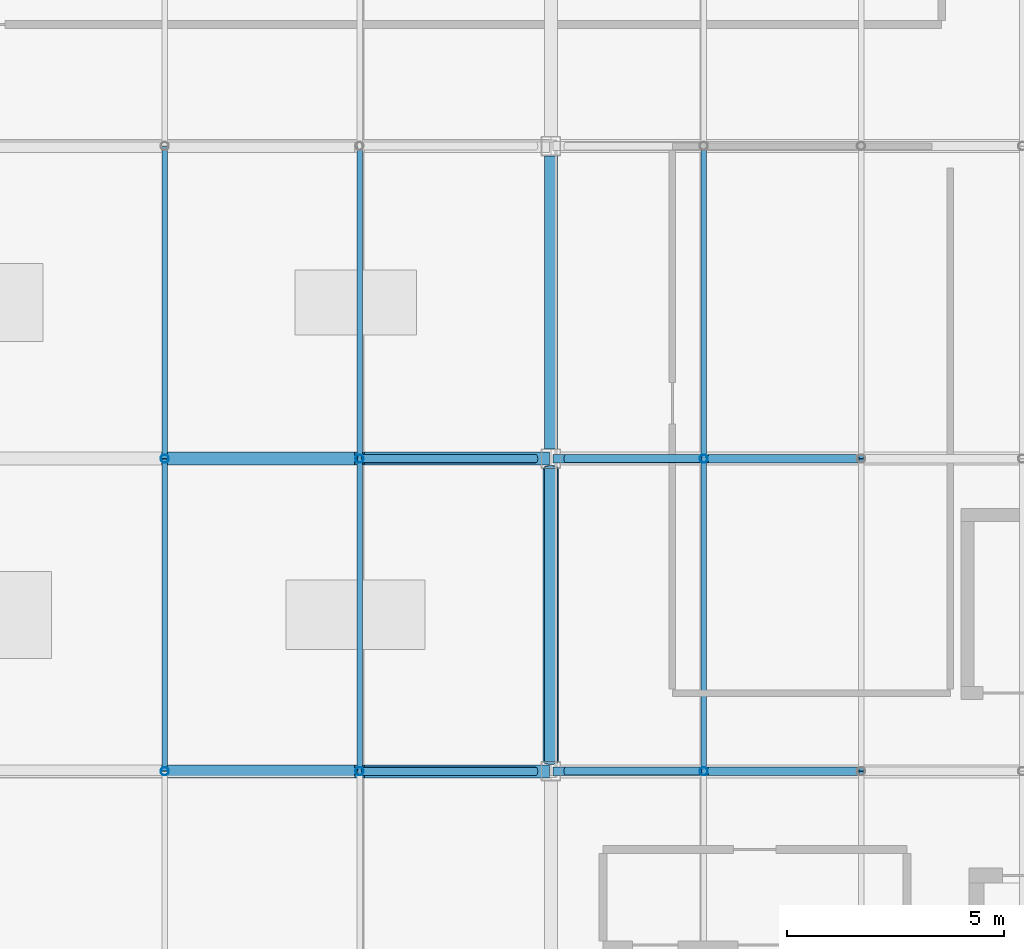
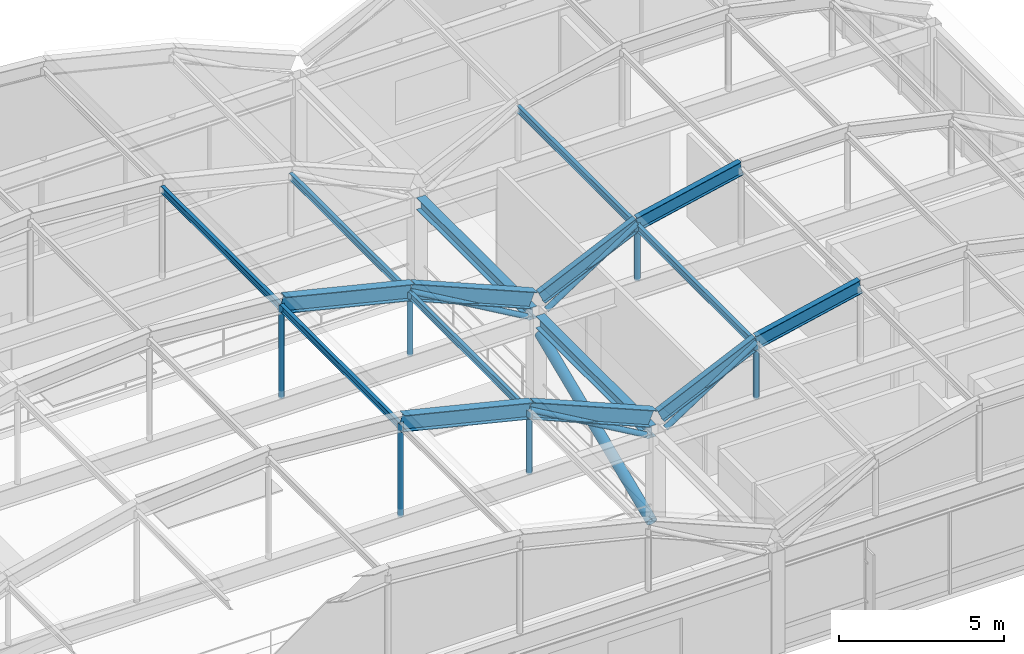
# One storey, part 40 of 106: 25 members, 2 beams.
"""IFC4 building model written with IfcOpenShell, lengths in metres."""

from ifc_helpers import new_model, si_unit, direction, frame, origin, origin_2d, place, context, subcontext, project, spatial, hollow_circle, i_section, extrude, material, material_profile, profile_set, type_object, element, save


model = new_model("IFC4")

# Units and contexts
model_context = context("Model", 3, precision=1e-05, world=origin(), true_north=direction((0.0, 1.0)))
body_context = subcontext(model_context, "Body", "Model", "MODEL_VIEW")
ifc_project = project(units=[si_unit("LENGTHUNIT", "METRE"), si_unit("AREAUNIT", "SQUARE_METRE"), si_unit("VOLUMEUNIT", "CUBIC_METRE"), si_unit("PLANEANGLEUNIT", "RADIAN"), si_unit("MASSUNIT", "GRAM", prefix="KILO")], contexts=[model_context])

# Site, building, storey
site_placement = place(None, origin())
site = spatial("IfcSite", under=ifc_project, at=site_placement, CompositionType="ELEMENT")
building_placement = place(site_placement, origin())
building = spatial("IfcBuilding", under=site, at=building_placement, Name="Kazanami Central Library", CompositionType="ELEMENT")
storey_placement = place(building_placement, frame((0.0, 0.0, 12.800048828125)))
storey = spatial("IfcBuildingStorey", under=building, at=storey_placement, Name="L04", CompositionType="ELEMENT", Elevation=12.800048828125)

# Beams
ifc_material_1 = material(Name="Steel SN490B (325 MPa)", Category="steel")
ifc_material_profile_1 = material_profile(ifc_material_1, i_section(OverallWidth=0.300048828125, OverallDepth=0.43994140625, WebThickness=0.010986328125, FlangeThickness=0.01806640625, at=origin_2d()), Name="H-440x300x11x18")
ifc_profile_set_1 = profile_set([ifc_material_profile_1], Name="Steel SN490B (325 MPa)")
beam_type = type_object("IfcBeamType", Name="BM-G-Y4", PredefinedType="BEAM", material=ifc_profile_set_1)
beam_1_placement = place(storey_placement, frame((90.0, 72.222900390625, 3.56005859375), z_axis=(0.0, 1.0, 0.0), x_axis=(-1.0, 0.0, 0.0)))
element("IfcBeam", 1, at=beam_1_placement, inside=storey, type_object=beam_type, Name="Girder G-Y4 L04 11/L-M", PredefinedType="BEAM", context=body_context, shape_type="SweptSolid", body=[
    extrude(i_section(OverallWidth=0.300048828125, OverallDepth=0.43994140625, WebThickness=0.010986328125, FlangeThickness=0.01806640625, at=origin_2d()), origin(), (0.0, 0.0, 1.0), 6.754150390625),
])
beam_2_placement = place(storey_placement, frame((90.0, 79.423095703125, 3.56005859375), z_axis=(0.0, 1.0, 0.0), x_axis=(-1.0, 0.0, 0.0)))
element("IfcBeam", 2, at=beam_2_placement, inside=storey, type_object=beam_type, Name="Girder G-Y4 L04 11/M-N", PredefinedType="BEAM", context=body_context, shape_type="SweptSolid", body=[
    extrude(i_section(OverallWidth=0.300048828125, OverallDepth=0.43994140625, WebThickness=0.010986328125, FlangeThickness=0.01806640625, at=origin_2d()), origin(), (0.0, 0.0, 1.0), 6.75390625),
])

# Members
ifc_material_profile_2 = material_profile(ifc_material_1, i_section(OverallWidth=0.300048828125, OverallDepth=0.587890625, WebThickness=0.011962890625, FlangeThickness=0.02001953125, at=origin_2d()), Name="H-588x300x12x20")
ifc_profile_set_2 = profile_set([ifc_material_profile_2], Name="Steel SN490B (325 MPa)")
member_type_1 = type_object("IfcMemberType", Name="MEM-AR-01", PredefinedType="CHORD", material=ifc_profile_set_2)
for number, where, z_axis, x_axis, name in (
    (3, (81.104248046875, 72.0, 7.181640625), (0.971622638672, 0.0, -0.236536356656), (0.0, 1.0, 0.0), "Barrel Vault Arch Rib AR-01 VAULT-MAIN Grid L Seg 5"),
    (4, (85.592041015625, 72.0, 6.089111328125), (0.921854112797, 0.0, -0.387537088185), (0.0, 1.0, 0.0), "Barrel Vault Arch Rib AR-01 VAULT-MAIN Grid L Seg 6"),
    (5, (81.104248046875, 79.199951171875, 7.181640625), (0.971622638672, 0.0, -0.236536356656), (0.0, 1.0, 0.0), "Barrel Vault Arch Rib AR-01 VAULT-MAIN Grid M Seg 5"),
    (6, (85.592041015625, 79.199951171875, 6.089111328125), (0.921854112797, 0.0, -0.387537088185), (0.0, 1.0, 0.0), "Barrel Vault Arch Rib AR-01 VAULT-MAIN Grid M Seg 6"),
):
    element("IfcMember", number, at=place(storey_placement, frame(where, z_axis=z_axis, x_axis=x_axis)), inside=storey, type_object=member_type_1, Name=name, PredefinedType="CHORD", context=body_context, shape_type="SweptSolid", body=[
        extrude(i_section(OverallWidth=0.300048828125, OverallDepth=0.587890625, WebThickness=0.011962890625, FlangeThickness=0.02001953125, at=origin_2d()), origin(), (0.0, 0.0, 1.0), 4.618896484375),
    ])
ifc_material_profile_3 = material_profile(ifc_material_1, i_section(OverallWidth=0.199951171875, OverallDepth=0.5, WebThickness=0.010009765625, FlangeThickness=0.01611328125, at=origin_2d()), Name="H-500x200x10x16")
ifc_profile_set_3 = profile_set([ifc_material_profile_3], Name="Steel SN490B (325 MPa)")
member_type_2 = type_object("IfcMemberType", Name="MEM-AR-02", PredefinedType="CHORD", material=ifc_profile_set_3)
for number, where, z_axis, x_axis, name in (
    (7, (90.14990234375, 72.0, 4.2548828125), (0.908074880538, 0.0, 0.41880784536), (0.0, 1.0, 0.0), "Barrel Vault Arch Rib AR-02 VAULT-EAST Grid L Seg 1"),
    (8, (93.519775390625, 72.0, 5.80908203125), (0.976745687277, 0.0, 0.214401171606), (0.0, 1.0, 0.0), "Barrel Vault Arch Rib AR-02 VAULT-EAST Grid L Seg 2"),
    (9, (90.14990234375, 79.199951171875, 4.2548828125), (0.908074880538, 0.0, 0.41880784536), (0.0, 1.0, 0.0), "Barrel Vault Arch Rib AR-02 VAULT-EAST Grid M Seg 1"),
    (10, (93.519775390625, 79.199951171875, 5.80908203125), (0.976745687277, 0.0, 0.214401171606), (0.0, 1.0, 0.0), "Barrel Vault Arch Rib AR-02 VAULT-EAST Grid M Seg 2"),
):
    element("IfcMember", number, at=place(storey_placement, frame(where, z_axis=z_axis, x_axis=x_axis)), inside=storey, type_object=member_type_2, Name=name, PredefinedType="CHORD", context=body_context, shape_type="SweptSolid", body=[
        extrude(i_section(OverallWidth=0.199951171875, OverallDepth=0.5, WebThickness=0.010009765625, FlangeThickness=0.01611328125, at=origin_2d()), origin(), (0.0, 0.0, 1.0), 3.7109375),
    ])
ifc_material_2 = material(Name="Steel STK490 (315 MPa)", Category="steel")
ifc_material_profile_4 = material_profile(ifc_material_2, hollow_circle(Radius=0.177734375, WallThickness=0.0126953125, at=origin_2d()), Name="CHS-355.6x12.7")
ifc_profile_set_4 = profile_set([ifc_material_profile_4], Name="Steel STK490 (315 MPa)")
member_type_3 = type_object("IfcMemberType", Name="MEM-BR-01", PredefinedType="BRACE", material=ifc_profile_set_4)
member_1_placement = place(storey_placement, frame((90.0, 72.22509765625, 0.25), z_axis=(0.0, 0.921256725392, 0.388955069282), x_axis=(-1.0, 0.0, 0.0)))
element("IfcMember", 11, at=member_1_placement, inside=storey, type_object=member_type_3, Name="Concentric Steel Brace BR-01 L04 BF-V1B", PredefinedType="BRACE", context=body_context, shape_type="SweptSolid", body=[
    extrude(hollow_circle(Radius=0.177734375, WallThickness=0.0126953125, at=origin_2d()), origin(), (0.0, 0.0, 1.0), 7.326904296875),
])
ifc_material_3 = material(Name="Steel SN400B (235 MPa)", Category="steel")
ifc_material_profile_5 = material_profile(ifc_material_3, i_section(OverallWidth=0.125, OverallDepth=0.25, WebThickness=0.006103515625, FlangeThickness=0.009033203125, at=origin_2d()), Name="H-250x125x6x9")
ifc_profile_set_5 = profile_set([ifc_material_profile_5], Name="Steel SN400B (235 MPa)")
member_type_4 = type_object("IfcMemberType", Name="MEM-PUR-250", PredefinedType="PURLIN", material=ifc_profile_set_5)
member_2_placement = place(storey_placement, frame((81.104248046875, 72.0048828125, 7.041748046875), z_axis=(0.0, 1.0, 0.0), x_axis=(-1.0, 0.0, 0.0)))
element("IfcMember", 12, at=member_2_placement, inside=storey, type_object=member_type_4, Name="Barrel Vault Longitudinal Purlin VAULT-MAIN Knuckle 4.2", PredefinedType="PURLIN", context=body_context, shape_type="SweptSolid", body=[
    extrude(i_section(OverallWidth=0.125, OverallDepth=0.25, WebThickness=0.006103515625, FlangeThickness=0.009033203125, at=origin_2d()), origin(), (0.0, 0.0, 1.0), 7.190185546875),
])
member_3_placement = place(storey_placement, frame((81.104248046875, 79.205078125, 7.041748046875), z_axis=(0.0, 1.0, 0.0), x_axis=(-1.0, 0.0, 0.0)))
element("IfcMember", 13, at=member_3_placement, inside=storey, type_object=member_type_4, Name="Barrel Vault Longitudinal Purlin VAULT-MAIN Knuckle 4.3", PredefinedType="PURLIN", context=body_context, shape_type="SweptSolid", body=[
    extrude(i_section(OverallWidth=0.125, OverallDepth=0.25, WebThickness=0.006103515625, FlangeThickness=0.009033203125, at=origin_2d()), origin(), (0.0, 0.0, 1.0), 7.18994140625),
])
member_4_placement = place(storey_placement, frame((85.592041015625, 72.0048828125, 5.94921875), z_axis=(0.0, 1.0, 0.0), x_axis=(-1.0, 0.0, 0.0)))
element("IfcMember", 14, at=member_4_placement, inside=storey, type_object=member_type_4, Name="Barrel Vault Longitudinal Purlin VAULT-MAIN Knuckle 5.2", PredefinedType="PURLIN", context=body_context, shape_type="SweptSolid", body=[
    extrude(i_section(OverallWidth=0.125, OverallDepth=0.25, WebThickness=0.006103515625, FlangeThickness=0.009033203125, at=origin_2d()), origin(), (0.0, 0.0, 1.0), 7.190185546875),
])
member_5_placement = place(storey_placement, frame((85.592041015625, 79.205078125, 5.94921875), z_axis=(0.0, 1.0, 0.0), x_axis=(-1.0, 0.0, 0.0)))
element("IfcMember", 15, at=member_5_placement, inside=storey, type_object=member_type_4, Name="Barrel Vault Longitudinal Purlin VAULT-MAIN Knuckle 5.3", PredefinedType="PURLIN", context=body_context, shape_type="SweptSolid", body=[
    extrude(i_section(OverallWidth=0.125, OverallDepth=0.25, WebThickness=0.006103515625, FlangeThickness=0.009033203125, at=origin_2d()), origin(), (0.0, 0.0, 1.0), 7.18994140625),
])
member_6_placement = place(storey_placement, frame((93.519775390625, 72.0048828125, 5.669189453125), z_axis=(0.0, 1.0, 0.0), x_axis=(-1.0, 0.0, 0.0)))
element("IfcMember", 16, at=member_6_placement, inside=storey, type_object=member_type_4, Name="Barrel Vault Longitudinal Purlin VAULT-EAST Knuckle 1.2", PredefinedType="PURLIN", context=body_context, shape_type="SweptSolid", body=[
    extrude(i_section(OverallWidth=0.125, OverallDepth=0.25, WebThickness=0.006103515625, FlangeThickness=0.009033203125, at=origin_2d()), origin(), (0.0, 0.0, 1.0), 7.190185546875),
])
member_7_placement = place(storey_placement, frame((93.519775390625, 79.205078125, 5.669189453125), z_axis=(0.0, 1.0, 0.0), x_axis=(-1.0, 0.0, 0.0)))
element("IfcMember", 17, at=member_7_placement, inside=storey, type_object=member_type_4, Name="Barrel Vault Longitudinal Purlin VAULT-EAST Knuckle 1.3", PredefinedType="PURLIN", context=body_context, shape_type="SweptSolid", body=[
    extrude(i_section(OverallWidth=0.125, OverallDepth=0.25, WebThickness=0.006103515625, FlangeThickness=0.009033203125, at=origin_2d()), origin(), (0.0, 0.0, 1.0), 7.18994140625),
])
ifc_material_profile_6 = material_profile(ifc_material_2, hollow_circle(Radius=0.095458984375, WallThickness=0.007080078125, at=origin_2d()), Name="CHS-190.7x7.0")
ifc_profile_set_6 = profile_set([ifc_material_profile_6], Name="Steel STK490 (315 MPa)")
member_type_5 = type_object("IfcMemberType", Name="MEM-VST-190", PredefinedType="STRUT", material=ifc_profile_set_6)
member_8_placement = place(storey_placement, frame((81.104248046875, 72.0, 3.71484375), z_axis=(0.0, 0.0, 1.0), x_axis=(1.0, 0.0, 0.0)))
element("IfcMember", 18, at=member_8_placement, inside=storey, type_object=member_type_5, Name="Barrel Vault Tied-Arch Web Strut VAULT-MAIN Grid L Knuckle 4", PredefinedType="STRUT", context=body_context, shape_type="SweptSolid", body=[
    extrude(hollow_circle(Radius=0.095458984375, WallThickness=0.007080078125, at=origin_2d()), origin(), (0.0, 0.0, 1.0), 3.44677734375),
])
member_9_placement = place(storey_placement, frame((85.592041015625, 72.0, 3.71484375), z_axis=(0.0, 0.0, 1.0), x_axis=(1.0, 0.0, 0.0)))
element("IfcMember", 19, at=member_9_placement, inside=storey, type_object=member_type_5, Name="Barrel Vault Tied-Arch Web Strut VAULT-MAIN Grid L Knuckle 5", PredefinedType="STRUT", context=body_context, shape_type="SweptSolid", body=[
    extrude(hollow_circle(Radius=0.095458984375, WallThickness=0.007080078125, at=origin_2d()), origin(), (0.0, 0.0, 1.0), 2.354248046875),
])
member_10_placement = place(storey_placement, frame((89.64990234375, 72.0, 3.71484375), z_axis=(-0.864967490529, 0.0, 0.501827899114), x_axis=(0.0, -1.0, 0.0)))
element("IfcMember", 20, at=member_10_placement, inside=storey, type_object=member_type_5, Name="Barrel Vault Tied-Arch Diagonal VAULT-MAIN Grid L (R)", PredefinedType="BRACE", context=body_context, shape_type="SweptSolid", body=[
    extrude(hollow_circle(Radius=0.095458984375, WallThickness=0.007080078125, at=origin_2d()), origin(), (0.0, 0.0, 1.0), 4.69140625),
])
member_11_placement = place(storey_placement, frame((81.104248046875, 79.199951171875, 3.71484375), z_axis=(0.0, 0.0, 1.0), x_axis=(1.0, 0.0, 0.0)))
element("IfcMember", 21, at=member_11_placement, inside=storey, type_object=member_type_5, Name="Barrel Vault Tied-Arch Web Strut VAULT-MAIN Grid M Knuckle 4", PredefinedType="STRUT", context=body_context, shape_type="SweptSolid", body=[
    extrude(hollow_circle(Radius=0.095458984375, WallThickness=0.007080078125, at=origin_2d()), origin(), (0.0, 0.0, 1.0), 3.44677734375),
])
member_12_placement = place(storey_placement, frame((85.592041015625, 79.199951171875, 3.71484375), z_axis=(0.0, 0.0, 1.0), x_axis=(1.0, 0.0, 0.0)))
element("IfcMember", 22, at=member_12_placement, inside=storey, type_object=member_type_5, Name="Barrel Vault Tied-Arch Web Strut VAULT-MAIN Grid M Knuckle 5", PredefinedType="STRUT", context=body_context, shape_type="SweptSolid", body=[
    extrude(hollow_circle(Radius=0.095458984375, WallThickness=0.007080078125, at=origin_2d()), origin(), (0.0, 0.0, 1.0), 2.354248046875),
])
member_13_placement = place(storey_placement, frame((89.64990234375, 79.199951171875, 3.71484375), z_axis=(-0.864967490529, 0.0, 0.501827899114), x_axis=(0.0, -1.0, 0.0)))
element("IfcMember", 23, at=member_13_placement, inside=storey, type_object=member_type_5, Name="Barrel Vault Tied-Arch Diagonal VAULT-MAIN Grid M (R)", PredefinedType="BRACE", context=body_context, shape_type="SweptSolid", body=[
    extrude(hollow_circle(Radius=0.095458984375, WallThickness=0.007080078125, at=origin_2d()), origin(), (0.0, 0.0, 1.0), 4.69140625),
])
member_14_placement = place(storey_placement, frame((93.519775390625, 72.0, 3.71484375), z_axis=(0.0, 0.0, 1.0), x_axis=(1.0, 0.0, 0.0)))
element("IfcMember", 24, at=member_14_placement, inside=storey, type_object=member_type_5, Name="Barrel Vault Tied-Arch Web Strut VAULT-EAST Grid L Knuckle 1", PredefinedType="STRUT", context=body_context, shape_type="SweptSolid", body=[
    extrude(hollow_circle(Radius=0.095458984375, WallThickness=0.007080078125, at=origin_2d()), origin(), (0.0, 0.0, 1.0), 2.07421875),
])
member_15_placement = place(storey_placement, frame((90.35009765625, 72.0, 3.71484375), z_axis=(0.836759504137, 0.0, 0.547570572837), x_axis=(0.0, 1.0, 0.0)))
element("IfcMember", 25, at=member_15_placement, inside=storey, type_object=member_type_5, Name="Barrel Vault Tied-Arch Diagonal VAULT-EAST Grid L (L)", PredefinedType="BRACE", context=body_context, shape_type="SweptSolid", body=[
    extrude(hollow_circle(Radius=0.095458984375, WallThickness=0.007080078125, at=origin_2d()), origin(), (0.0, 0.0, 1.0), 3.7880859375),
])
member_16_placement = place(storey_placement, frame((93.519775390625, 79.199951171875, 3.71484375), z_axis=(0.0, 0.0, 1.0), x_axis=(1.0, 0.0, 0.0)))
element("IfcMember", 26, at=member_16_placement, inside=storey, type_object=member_type_5, Name="Barrel Vault Tied-Arch Web Strut VAULT-EAST Grid M Knuckle 1", PredefinedType="STRUT", context=body_context, shape_type="SweptSolid", body=[
    extrude(hollow_circle(Radius=0.095458984375, WallThickness=0.007080078125, at=origin_2d()), origin(), (0.0, 0.0, 1.0), 2.07421875),
])
member_17_placement = place(storey_placement, frame((90.35009765625, 79.199951171875, 3.71484375), z_axis=(0.836759504137, 0.0, 0.547570572837), x_axis=(0.0, 1.0, 0.0)))
element("IfcMember", 27, at=member_17_placement, inside=storey, type_object=member_type_5, Name="Barrel Vault Tied-Arch Diagonal VAULT-EAST Grid M (L)", PredefinedType="BRACE", context=body_context, shape_type="SweptSolid", body=[
    extrude(hollow_circle(Radius=0.095458984375, WallThickness=0.007080078125, at=origin_2d()), origin(), (0.0, 0.0, 1.0), 3.7880859375),
])

save(model, "model.ifc")
